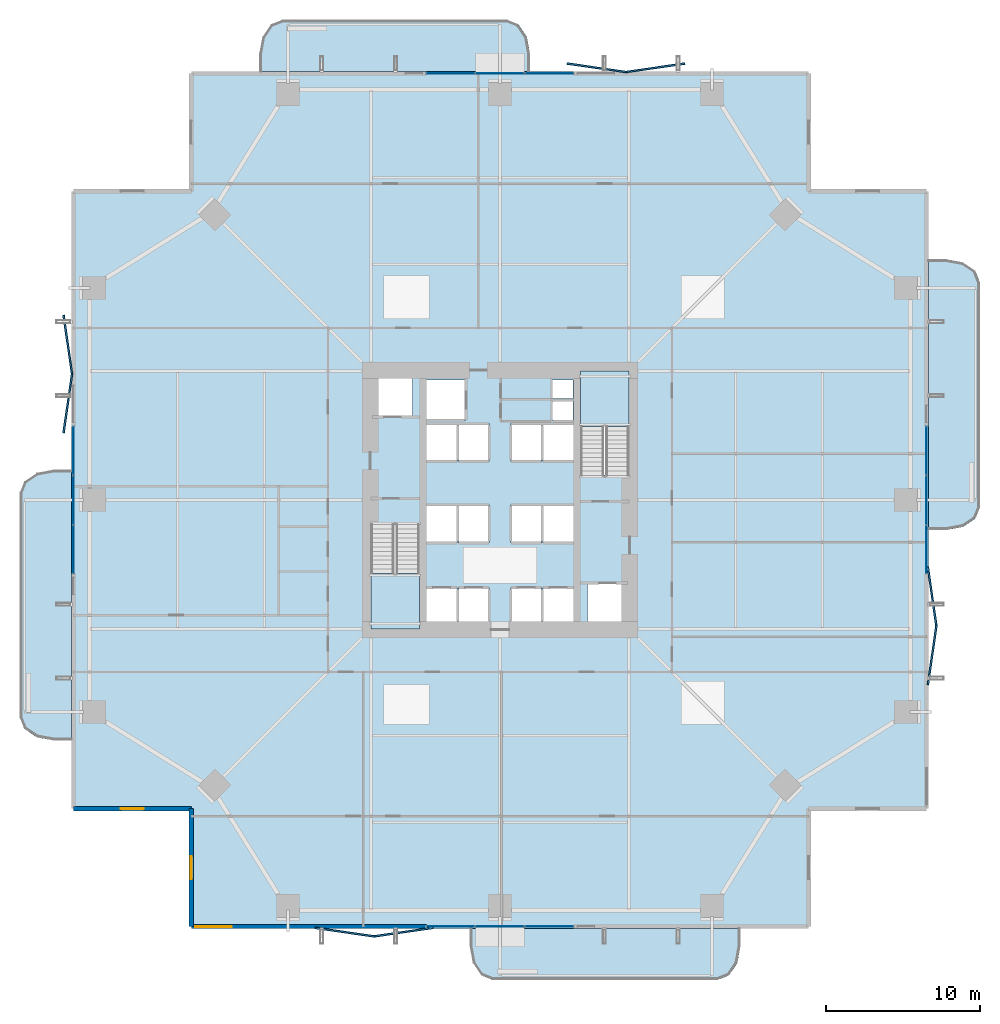
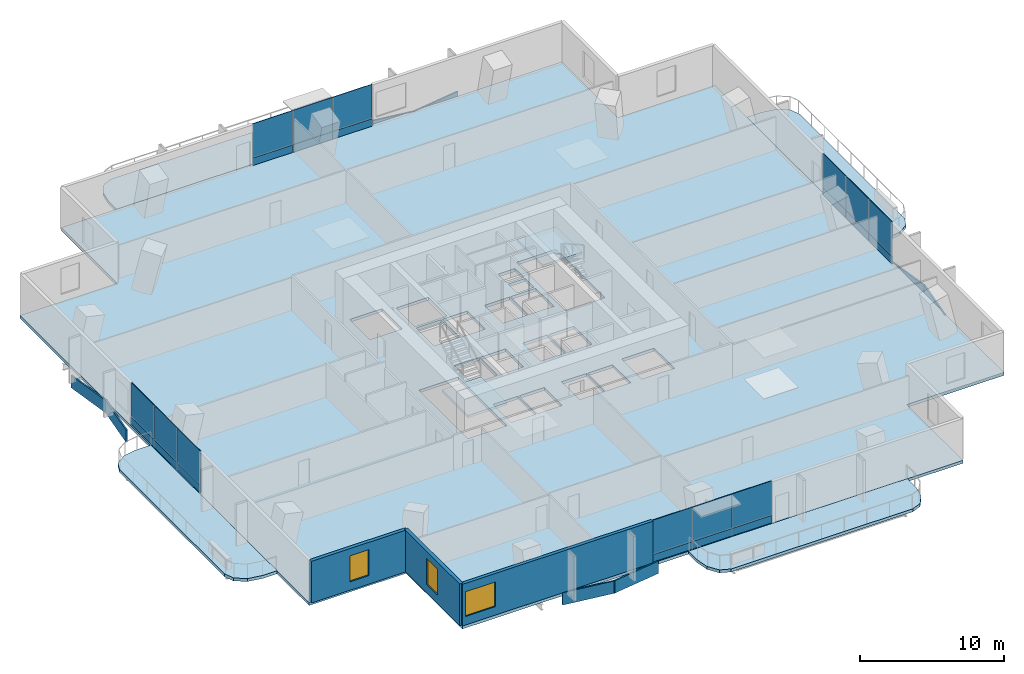
# One storey, part 16 of 24: 32 plates, 7 slabs, 3 walls, 3 windows, 3 openings, 6 elements without a shape of their own.
"""IFC4 building model written with IfcOpenShell, lengths in metres."""

from ifc_helpers import new_model, si_unit, direction, frame, frame_2d, origin, origin_2d, place, context, subcontext, project, spatial, polyline, rectangle, outline, extrude, material, layer, layer_set, type_object, element, fill, aggregate, save


model = new_model("IFC4")

# Units and contexts
model_context = context("Model", 3, precision=1e-05, world=origin(), true_north=direction((0.0, 1.0)))
body_context = subcontext(model_context, "Body", "Model", "MODEL_VIEW")
ifc_project = project(units=[si_unit("LENGTHUNIT", "METRE"), si_unit("AREAUNIT", "SQUARE_METRE"), si_unit("VOLUMEUNIT", "CUBIC_METRE"), si_unit("PLANEANGLEUNIT", "RADIAN"), si_unit("MASSUNIT", "GRAM", prefix="KILO")], contexts=[model_context])

# Site, building, storey
site_placement = place(None, origin())
site = spatial("IfcSite", under=ifc_project, at=site_placement, CompositionType="ELEMENT")
building_placement = place(site_placement, origin())
building = spatial("IfcBuilding", under=site, at=building_placement, Name="Belovzor Exchange Tower", CompositionType="ELEMENT")
storey_placement = place(building_placement, frame((0.0, 0.0, 104.10009765625)))
storey = spatial("IfcBuildingStorey", under=building, at=storey_placement, Name="L25", CompositionType="ELEMENT", Elevation=104.10009765625)

# Slab
ifc_material_1 = material(Name="Concrete C40/50", Category="concrete")
ifc_layer_1 = layer(ifc_material_1, 0.25)
ifc_layer_set_1 = layer_set([ifc_layer_1], Name="Concrete C40/50")
slab_type_1 = type_object("IfcSlabType", Name="Composite Concrete Floor Deck Slab 250", PredefinedType="FLOOR", material=ifc_layer_set_1)
slab_1_placement = place(storey_placement, frame((0.0, 0.0, -0.25)))
element("IfcSlab", 1, at=slab_1_placement, inside=storey, type_object=slab_type_1, Name="SL-F250 Structural Slab L25", PredefinedType="FLOOR", context=body_context, shape_type="SweptSolid", body=[
    extrude(outline(polyline([(8.699951171875, 0.89990234375), (48.89990234375, 0.89990234375), (48.89990234375, 8.699951171875), (56.699951171875, 8.699951171875), (56.699951171875, 48.89990234375), (48.89990234375, 48.89990234375), (48.89990234375, 56.699951171875), (8.699951171875, 56.699951171875), (8.699951171875, 48.89990234375), (0.89990234375, 48.89990234375), (0.89990234375, 8.699951171875), (8.699951171875, 8.699951171875), (8.699951171875, 0.89990234375)]), holes=[polyline([(20.39990234375, 27.175048828125), (20.39990234375, 20.39990234375), (23.550048828125, 20.39990234375), (23.550048828125, 27.175048828125), (20.39990234375, 27.175048828125)]), polyline([(37.199951171875, 30.425048828125), (37.199951171875, 37.199951171875), (34.050048828125, 37.199951171875), (34.050048828125, 30.425048828125), (37.199951171875, 30.425048828125)]), polyline([(20.5, 34.199951171875), (23.10009765625, 34.199951171875), (23.10009765625, 37.0), (20.5, 37.0), (20.5, 34.199951171875)]), polyline([(34.5, 20.60009765625), (37.10009765625, 20.60009765625), (37.10009765625, 23.39990234375), (34.5, 23.39990234375), (34.5, 20.60009765625)]), polyline([(24.0, 34.0), (26.60009765625, 34.0), (26.60009765625, 36.60009765625), (24.0, 36.60009765625), (24.0, 34.0)]), polyline([(24.0, 20.60009765625), (26.0, 20.60009765625), (26.0, 23.10009765625), (24.0, 23.10009765625), (24.0, 20.60009765625)]), polyline([(26.10009765625, 20.60009765625), (28.10009765625, 20.60009765625), (28.10009765625, 23.10009765625), (26.10009765625, 23.10009765625), (26.10009765625, 20.60009765625)]), polyline([(29.5, 20.60009765625), (31.5, 20.60009765625), (31.5, 23.10009765625), (29.5, 23.10009765625), (29.5, 20.60009765625)]), polyline([(31.60009765625, 20.60009765625), (33.60009765625, 20.60009765625), (33.60009765625, 23.10009765625), (31.60009765625, 23.10009765625), (31.60009765625, 20.60009765625)]), polyline([(24.0, 26.0), (26.0, 26.0), (26.0, 28.5), (24.0, 28.5), (24.0, 26.0)]), polyline([(26.10009765625, 26.0), (28.10009765625, 26.0), (28.10009765625, 28.5), (26.10009765625, 28.5), (26.10009765625, 26.0)]), polyline([(29.5, 26.0), (31.5, 26.0), (31.5, 28.5), (29.5, 28.5), (29.5, 26.0)]), polyline([(31.60009765625, 26.0), (33.60009765625, 26.0), (33.60009765625, 28.5), (31.60009765625, 28.5), (31.60009765625, 26.0)]), polyline([(24.0, 31.300048828125), (26.0, 31.300048828125), (26.0, 33.800048828125), (24.0, 33.800048828125), (24.0, 31.300048828125)]), polyline([(26.10009765625, 31.300048828125), (28.10009765625, 31.300048828125), (28.10009765625, 33.800048828125), (26.10009765625, 33.800048828125), (26.10009765625, 31.300048828125)]), polyline([(29.5, 31.300048828125), (31.5, 31.300048828125), (31.5, 33.800048828125), (29.5, 33.800048828125), (29.5, 31.300048828125)]), polyline([(31.60009765625, 31.300048828125), (33.60009765625, 31.300048828125), (33.60009765625, 33.800048828125), (31.60009765625, 33.800048828125), (31.60009765625, 31.300048828125)]), polyline([(32.199951171875, 34.0), (33.550048828125, 34.0), (33.550048828125, 35.199951171875), (32.199951171875, 35.199951171875), (32.199951171875, 34.0)]), polyline([(32.199951171875, 35.39990234375), (33.550048828125, 35.39990234375), (33.550048828125, 36.60009765625), (32.199951171875, 36.60009765625), (32.199951171875, 35.39990234375)])]), origin(), (0.0, 0.0, 1.0), 0.25),
])

# Plates
ifc_material_2 = material(Name="Extruded Architectural Terracotta", Category="masonry")
ifc_layer_2 = layer(ifc_material_2, 0.1201171875)
ifc_layer_set_2 = layer_set([ifc_layer_2], Name="Extruded Architectural Terracotta")
plate_type_1 = type_object("IfcPlateType", Name="Folded Zigzag Terracotta Spandrel Louvre 80", PredefinedType="USERDEFINED", material=ifc_layer_set_2)
for number, where, z_axis, x_axis, name in (
    (2, (18.699951171875, 0.6650390625, -1.03515625), (0.0, 0.0, 1.0), (0.989686419138, -0.143250800258, 0.0), "LVR-ZZ1 Zigzag Terracotta Spandrel Louvre L25 S1A"),
    (3, (22.5, 0.6650390625, -1.03515625), (0.0, 0.0, 1.0), (0.989686419138, 0.143250800258, 0.0), "LVR-ZZ1 Zigzag Terracotta Spandrel Louvre L25 S1B"),
    (4, (56.93505859375, 18.699951171875, -1.03515625), (0.0, 0.0, 1.0), (0.143250800258, 0.989686419138, 0.0), "LVR-ZZ1 Zigzag Terracotta Spandrel Louvre L25 E1A"),
    (5, (56.93505859375, 22.5, -1.03515625), (0.0, 0.0, 1.0), (-0.143250800258, 0.989686419138, 0.0), "LVR-ZZ1 Zigzag Terracotta Spandrel Louvre L25 E1B"),
    (6, (35.10009765625, 56.93505859375, -1.03515625), (0.0, 0.0, 1.0), (0.989686419138, -0.143250800258, 0.0), "LVR-ZZ1 Zigzag Terracotta Spandrel Louvre L25 N2A"),
    (7, (38.89990234375, 56.93505859375, -1.03515625), (0.0, 0.0, 1.0), (0.989686419138, 0.143250800258, 0.0), "LVR-ZZ1 Zigzag Terracotta Spandrel Louvre L25 N2B"),
    (8, (0.6650390625, 35.10009765625, -1.03515625), (0.0, 0.0, 1.0), (0.143250800258, 0.989686419138, 0.0), "LVR-ZZ1 Zigzag Terracotta Spandrel Louvre L25 W2A"),
    (9, (0.6650390625, 38.89990234375, -1.03515625), (0.0, 0.0, 1.0), (-0.143250800258, 0.989686419138, 0.0), "LVR-ZZ1 Zigzag Terracotta Spandrel Louvre L25 W2B"),
):
    element("IfcPlate", number, at=place(storey_placement, frame(where, z_axis=z_axis, x_axis=x_axis)), inside=storey, type_object=plate_type_1, Name=name, ObjectType="SPANDREL_LOUVRE", PredefinedType="USERDEFINED", context=body_context, shape_type="SweptSolid", body=[
        extrude(rectangle(XDim=3.919921875, YDim=0.1201171875, at=origin_2d()), origin(), (0.0, 0.0, 1.0), 1.050048828125),
    ])

# Curtain wall, plates
ifc_material_3 = material(Name="Anodised Aluminium Framing", Category="aluminium")
ifc_layer_3 = layer(ifc_material_3, 0.179931640625)
ifc_layer_set_3 = layer_set([ifc_layer_3], Name="Anodised Aluminium Framing")
curtain_wall_type = type_object("IfcCurtainWallType", Name="Recessed Loggia Low-Iron Triple-Glazed Curtain Wall", PredefinedType="NOTDEFINED", material=ifc_layer_set_3)
curtain_wall_1_placement = place(storey_placement, origin())
curtain_wall_1 = element("IfcCurtainWall", 10, at=curtain_wall_1_placement, inside=storey, type_object=curtain_wall_type, Name="CW3 Recessed Loggia Low-Iron Triple-Glazed Curtain Wall L25", PredefinedType="NOTDEFINED")
ifc_material_4 = material(Name="Solar-Control Triple Glazing", Category="glass")
ifc_layer_4 = layer(ifc_material_4, 0.0439453125)
ifc_layer_set_4 = layer_set([ifc_layer_4], Name="Solar-Control Triple Glazing")
plate_type_2 = type_object("IfcPlateType", Name="Insulated Solar Glazing Curtain Panel 44", PredefinedType="CURTAIN_PANEL", material=ifc_layer_set_4)
plate_1_placement = place(storey_placement, frame((32.0, 1.030029296875, 0.639404296875), z_axis=(0.0, 0.0, 1.0), x_axis=(-1.0, 0.0, 0.0)))
plate_1 = element("IfcPlate", 11, at=plate_1_placement, type_object=plate_type_2, Name="GLZ-44 Glazed Curtain Panel 1", PredefinedType="CURTAIN_PANEL", context=body_context, shape_type="SweptSolid", body=[
    extrude(rectangle(XDim=3.18408203125, YDim=0.0439453125, at=origin_2d()), origin(), (0.0, 0.0, 1.0), 2.90087890625),
])
plate_2_placement = place(storey_placement, frame((28.800048828125, 1.030029296875, 0.639404296875), z_axis=(0.0, 0.0, 1.0), x_axis=(-1.0, 0.0, 0.0)))
plate_2 = element("IfcPlate", 12, at=plate_2_placement, type_object=plate_type_2, Name="GLZ-44 Glazed Curtain Panel 2", PredefinedType="CURTAIN_PANEL", context=body_context, shape_type="SweptSolid", body=[
    extrude(rectangle(XDim=3.18408203125, YDim=0.0439453125, at=origin_2d()), origin(), (0.0, 0.0, 1.0), 2.90087890625),
])
plate_3_placement = place(storey_placement, frame((25.60009765625, 1.030029296875, 0.639404296875), z_axis=(0.0, 0.0, 1.0), x_axis=(-1.0, 0.0, 0.0)))
plate_3 = element("IfcPlate", 13, at=plate_3_placement, type_object=plate_type_2, Name="GLZ-44 Glazed Curtain Panel 3", PredefinedType="CURTAIN_PANEL", context=body_context, shape_type="SweptSolid", body=[
    extrude(rectangle(XDim=3.18408203125, YDim=0.0439453125, at=origin_2d()), origin(), (0.0, 0.0, 1.0), 2.90087890625),
])

curtain_wall_2_placement = place(storey_placement, origin())
curtain_wall_2 = element("IfcCurtainWall", 14, at=curtain_wall_2_placement, inside=storey, type_object=curtain_wall_type, Name="CW3 Recessed Loggia Low-Iron Triple-Glazed Curtain Wall L25", PredefinedType="NOTDEFINED")
plate_4_placement = place(storey_placement, frame((25.60009765625, 56.570068359375, 0.639404296875), z_axis=(0.0, 0.0, 1.0), x_axis=(1.0, 0.0, 0.0)))
plate_4 = element("IfcPlate", 15, at=plate_4_placement, type_object=plate_type_2, Name="GLZ-44 Glazed Curtain Panel 1", PredefinedType="CURTAIN_PANEL", context=body_context, shape_type="SweptSolid", body=[
    extrude(rectangle(XDim=3.18408203125, YDim=0.0439453125, at=origin_2d()), origin(), (0.0, 0.0, 1.0), 2.90087890625),
])
plate_5_placement = place(storey_placement, frame((28.800048828125, 56.570068359375, 0.639404296875), z_axis=(0.0, 0.0, 1.0), x_axis=(1.0, 0.0, 0.0)))
plate_5 = element("IfcPlate", 16, at=plate_5_placement, type_object=plate_type_2, Name="GLZ-44 Glazed Curtain Panel 2", PredefinedType="CURTAIN_PANEL", context=body_context, shape_type="SweptSolid", body=[
    extrude(rectangle(XDim=3.18408203125, YDim=0.0439453125, at=origin_2d()), origin(), (0.0, 0.0, 1.0), 2.90087890625),
])
plate_6_placement = place(storey_placement, frame((32.0, 56.570068359375, 0.639404296875), z_axis=(0.0, 0.0, 1.0), x_axis=(1.0, 0.0, 0.0)))
plate_6 = element("IfcPlate", 17, at=plate_6_placement, type_object=plate_type_2, Name="GLZ-44 Glazed Curtain Panel 3", PredefinedType="CURTAIN_PANEL", context=body_context, shape_type="SweptSolid", body=[
    extrude(rectangle(XDim=3.18408203125, YDim=0.0439453125, at=origin_2d()), origin(), (0.0, 0.0, 1.0), 2.90087890625),
])

curtain_wall_3_placement = place(storey_placement, origin())
curtain_wall_3 = element("IfcCurtainWall", 18, at=curtain_wall_3_placement, inside=storey, type_object=curtain_wall_type, Name="CW3 Recessed Loggia Low-Iron Triple-Glazed Curtain Wall L25", PredefinedType="NOTDEFINED")
plate_7_placement = place(storey_placement, frame((1.030029296875, 25.60009765625, 0.639404296875), z_axis=(0.0, 0.0, 1.0), x_axis=(0.0, 1.0, 0.0)))
plate_7 = element("IfcPlate", 19, at=plate_7_placement, type_object=plate_type_2, Name="GLZ-44 Glazed Curtain Panel 1", PredefinedType="CURTAIN_PANEL", context=body_context, shape_type="SweptSolid", body=[
    extrude(rectangle(XDim=3.18408203125, YDim=0.0439453125, at=origin_2d()), origin(), (0.0, 0.0, 1.0), 2.90087890625),
])
plate_8_placement = place(storey_placement, frame((1.030029296875, 28.800048828125, 0.639404296875), z_axis=(0.0, 0.0, 1.0), x_axis=(0.0, 1.0, 0.0)))
plate_8 = element("IfcPlate", 20, at=plate_8_placement, type_object=plate_type_2, Name="GLZ-44 Glazed Curtain Panel 2", PredefinedType="CURTAIN_PANEL", context=body_context, shape_type="SweptSolid", body=[
    extrude(rectangle(XDim=3.18408203125, YDim=0.0439453125, at=origin_2d()), origin(), (0.0, 0.0, 1.0), 2.90087890625),
])
plate_9_placement = place(storey_placement, frame((1.030029296875, 32.0, 0.639404296875), z_axis=(0.0, 0.0, 1.0), x_axis=(0.0, 1.0, 0.0)))
plate_9 = element("IfcPlate", 21, at=plate_9_placement, type_object=plate_type_2, Name="GLZ-44 Glazed Curtain Panel 3", PredefinedType="CURTAIN_PANEL", context=body_context, shape_type="SweptSolid", body=[
    extrude(rectangle(XDim=3.18408203125, YDim=0.0439453125, at=origin_2d()), origin(), (0.0, 0.0, 1.0), 2.90087890625),
])

curtain_wall_4_placement = place(storey_placement, origin())
curtain_wall_4 = element("IfcCurtainWall", 22, at=curtain_wall_4_placement, inside=storey, type_object=curtain_wall_type, Name="CW3 Recessed Loggia Low-Iron Triple-Glazed Curtain Wall L25", PredefinedType="NOTDEFINED")
plate_10_placement = place(storey_placement, frame((56.570068359375, 32.0, 0.639404296875), z_axis=(0.0, 0.0, 1.0), x_axis=(0.0, -1.0, 0.0)))
plate_10 = element("IfcPlate", 23, at=plate_10_placement, type_object=plate_type_2, Name="GLZ-44 Glazed Curtain Panel 1", PredefinedType="CURTAIN_PANEL", context=body_context, shape_type="SweptSolid", body=[
    extrude(rectangle(XDim=3.18408203125, YDim=0.0439453125, at=origin_2d()), origin(), (0.0, 0.0, 1.0), 2.90087890625),
])
plate_11_placement = place(storey_placement, frame((56.570068359375, 28.800048828125, 0.639404296875), z_axis=(0.0, 0.0, 1.0), x_axis=(0.0, -1.0, 0.0)))
plate_11 = element("IfcPlate", 24, at=plate_11_placement, type_object=plate_type_2, Name="GLZ-44 Glazed Curtain Panel 2", PredefinedType="CURTAIN_PANEL", context=body_context, shape_type="SweptSolid", body=[
    extrude(rectangle(XDim=3.18408203125, YDim=0.0439453125, at=origin_2d()), origin(), (0.0, 0.0, 1.0), 2.90087890625),
])
plate_12_placement = place(storey_placement, frame((56.570068359375, 25.60009765625, 0.639404296875), z_axis=(0.0, 0.0, 1.0), x_axis=(0.0, -1.0, 0.0)))
plate_12 = element("IfcPlate", 25, at=plate_12_placement, type_object=plate_type_2, Name="GLZ-44 Glazed Curtain Panel 3", PredefinedType="CURTAIN_PANEL", context=body_context, shape_type="SweptSolid", body=[
    extrude(rectangle(XDim=3.18408203125, YDim=0.0439453125, at=origin_2d()), origin(), (0.0, 0.0, 1.0), 2.90087890625),
])

# Stair, slab
ifc_material_5 = material(Name="Concrete C40/50", Category="concrete")
stair_type = type_object("IfcStairType", Name="Reinforced Concrete Dogleg Escape Stair 1350", PredefinedType="HALF_TURN_STAIR", material=ifc_material_5)
stair_1_placement = place(storey_placement, origin())
stair_1 = element("IfcStair", 26, at=stair_1_placement, inside=storey, type_object=stair_type, Name="L25 ST-1", PredefinedType="HALF_TURN_STAIR")
ifc_material_6 = material(Name="Concrete C40/50", Category="concrete")
ifc_layer_5 = layer(ifc_material_6, 0.199951171875)
ifc_layer_set_5 = layer_set([ifc_layer_5], Name="Concrete C40/50")
slab_type_2 = type_object("IfcSlabType", Name="Reinforced Concrete Stair Half-Landing Slab 200", PredefinedType="LANDING", material=ifc_layer_set_5)
slab_2_placement = place(storey_placement, frame((0.0, 0.0, 1.75)))
slab_2 = element("IfcSlab", 27, at=slab_2_placement, type_object=slab_type_2, Name="ST-1 landing 1", PredefinedType="LANDING", context=body_context, shape_type="SweptSolid", body=[
    extrude(outline(polyline([(20.39990234375, 24.010009765625), (20.39990234375, 20.39990234375), (23.550048828125, 20.39990234375), (23.550048828125, 24.010009765625), (20.39990234375, 24.010009765625)])), origin(), (0.0, 0.0, 1.0), 0.199951171875),
])
aggregate(stair_1, [slab_2])

stair_2_placement = place(storey_placement, origin())
stair_2 = element("IfcStair", 28, at=stair_2_placement, inside=storey, type_object=stair_type, Name="L25 ST-2", PredefinedType="HALF_TURN_STAIR")
slab_3_placement = place(storey_placement, frame((0.0, 0.0, 1.75)))
slab_3 = element("IfcSlab", 29, at=slab_3_placement, type_object=slab_type_2, Name="ST-2 landing 1", PredefinedType="LANDING", context=body_context, shape_type="SweptSolid", body=[
    extrude(outline(polyline([(37.199951171875, 33.590087890625), (37.199951171875, 37.199951171875), (34.050048828125, 37.199951171875), (34.050048828125, 33.590087890625), (37.199951171875, 33.590087890625)])), origin(), (0.0, 0.0, 1.0), 0.199951171875),
])
aggregate(stair_2, [slab_3])

# Plate
ifc_material_7 = material(Name="Extruded Architectural Terracotta", Category="masonry")
ifc_layer_6 = layer(ifc_material_7, 0.090087890625)
ifc_layer_set_6 = layer_set([ifc_layer_6], Name="Extruded Architectural Terracotta")
plate_type_3 = type_object("IfcPlateType", Name="Terracotta Shadow-Box Spandrel Panel 90", PredefinedType="CURTAIN_PANEL", material=ifc_layer_set_6)
plate_13_placement = place(storey_placement, frame((32.0, 1.030029296875, -0.00048828125), z_axis=(0.0, 0.0, 1.0), x_axis=(-1.0, 0.0, 0.0)))
plate_13 = element("IfcPlate", 30, at=plate_13_placement, type_object=plate_type_3, Name="SPD-90 Spandrel Panel 1", PredefinedType="CURTAIN_PANEL", context=body_context, shape_type="SweptSolid", body=[
    extrude(rectangle(XDim=3.18408203125, YDim=0.090087890625, at=origin_2d()), origin(), (0.0, 0.0, 1.0), 0.635009765625),
])

plate_14_placement = place(storey_placement, frame((28.800048828125, 1.030029296875, -0.00048828125), z_axis=(0.0, 0.0, 1.0), x_axis=(-1.0, 0.0, 0.0)))
plate_14 = element("IfcPlate", 31, at=plate_14_placement, type_object=plate_type_3, Name="SPD-90 Spandrel Panel 2", PredefinedType="CURTAIN_PANEL", context=body_context, shape_type="SweptSolid", body=[
    extrude(rectangle(XDim=3.18408203125, YDim=0.090087890625, at=origin_2d()), origin(), (0.0, 0.0, 1.0), 0.635009765625),
])

plate_15_placement = place(storey_placement, frame((25.60009765625, 1.030029296875, -0.00048828125), z_axis=(0.0, 0.0, 1.0), x_axis=(-1.0, 0.0, 0.0)))
plate_15 = element("IfcPlate", 32, at=plate_15_placement, type_object=plate_type_3, Name="SPD-90 Spandrel Panel 3", PredefinedType="CURTAIN_PANEL", context=body_context, shape_type="SweptSolid", body=[
    extrude(rectangle(XDim=3.18408203125, YDim=0.090087890625, at=origin_2d()), origin(), (0.0, 0.0, 1.0), 0.635009765625),
])

aggregate(curtain_wall_1, [plate_13, plate_1, plate_14, plate_2, plate_15, plate_3])

plate_16_placement = place(storey_placement, frame((25.60009765625, 56.570068359375, -0.00048828125), z_axis=(0.0, 0.0, 1.0), x_axis=(1.0, 0.0, 0.0)))
plate_16 = element("IfcPlate", 33, at=plate_16_placement, type_object=plate_type_3, Name="SPD-90 Spandrel Panel 1", PredefinedType="CURTAIN_PANEL", context=body_context, shape_type="SweptSolid", body=[
    extrude(rectangle(XDim=3.18408203125, YDim=0.090087890625, at=origin_2d()), origin(), (0.0, 0.0, 1.0), 0.635009765625),
])

plate_17_placement = place(storey_placement, frame((28.800048828125, 56.570068359375, -0.00048828125), z_axis=(0.0, 0.0, 1.0), x_axis=(1.0, 0.0, 0.0)))
plate_17 = element("IfcPlate", 34, at=plate_17_placement, type_object=plate_type_3, Name="SPD-90 Spandrel Panel 2", PredefinedType="CURTAIN_PANEL", context=body_context, shape_type="SweptSolid", body=[
    extrude(rectangle(XDim=3.18408203125, YDim=0.090087890625, at=origin_2d()), origin(), (0.0, 0.0, 1.0), 0.635009765625),
])

plate_18_placement = place(storey_placement, frame((32.0, 56.570068359375, -0.00048828125), z_axis=(0.0, 0.0, 1.0), x_axis=(1.0, 0.0, 0.0)))
plate_18 = element("IfcPlate", 35, at=plate_18_placement, type_object=plate_type_3, Name="SPD-90 Spandrel Panel 3", PredefinedType="CURTAIN_PANEL", context=body_context, shape_type="SweptSolid", body=[
    extrude(rectangle(XDim=3.18408203125, YDim=0.090087890625, at=origin_2d()), origin(), (0.0, 0.0, 1.0), 0.635009765625),
])

aggregate(curtain_wall_2, [plate_16, plate_4, plate_17, plate_5, plate_18, plate_6])

plate_19_placement = place(storey_placement, frame((1.030029296875, 25.60009765625, -0.00048828125), z_axis=(0.0, 0.0, 1.0), x_axis=(0.0, 1.0, 0.0)))
plate_19 = element("IfcPlate", 36, at=plate_19_placement, type_object=plate_type_3, Name="SPD-90 Spandrel Panel 1", PredefinedType="CURTAIN_PANEL", context=body_context, shape_type="SweptSolid", body=[
    extrude(rectangle(XDim=3.18408203125, YDim=0.090087890625, at=origin_2d()), origin(), (0.0, 0.0, 1.0), 0.635009765625),
])

plate_20_placement = place(storey_placement, frame((1.030029296875, 28.800048828125, -0.00048828125), z_axis=(0.0, 0.0, 1.0), x_axis=(0.0, 1.0, 0.0)))
plate_20 = element("IfcPlate", 37, at=plate_20_placement, type_object=plate_type_3, Name="SPD-90 Spandrel Panel 2", PredefinedType="CURTAIN_PANEL", context=body_context, shape_type="SweptSolid", body=[
    extrude(rectangle(XDim=3.18408203125, YDim=0.090087890625, at=origin_2d()), origin(), (0.0, 0.0, 1.0), 0.635009765625),
])

plate_21_placement = place(storey_placement, frame((1.030029296875, 32.0, -0.00048828125), z_axis=(0.0, 0.0, 1.0), x_axis=(0.0, 1.0, 0.0)))
plate_21 = element("IfcPlate", 38, at=plate_21_placement, type_object=plate_type_3, Name="SPD-90 Spandrel Panel 3", PredefinedType="CURTAIN_PANEL", context=body_context, shape_type="SweptSolid", body=[
    extrude(rectangle(XDim=3.18408203125, YDim=0.090087890625, at=origin_2d()), origin(), (0.0, 0.0, 1.0), 0.635009765625),
])

aggregate(curtain_wall_3, [plate_19, plate_7, plate_20, plate_8, plate_21, plate_9])

plate_22_placement = place(storey_placement, frame((56.570068359375, 32.0, -0.00048828125), z_axis=(0.0, 0.0, 1.0), x_axis=(0.0, -1.0, 0.0)))
plate_22 = element("IfcPlate", 39, at=plate_22_placement, type_object=plate_type_3, Name="SPD-90 Spandrel Panel 1", PredefinedType="CURTAIN_PANEL", context=body_context, shape_type="SweptSolid", body=[
    extrude(rectangle(XDim=3.18408203125, YDim=0.090087890625, at=origin_2d()), origin(), (0.0, 0.0, 1.0), 0.635009765625),
])

plate_23_placement = place(storey_placement, frame((56.570068359375, 28.800048828125, -0.00048828125), z_axis=(0.0, 0.0, 1.0), x_axis=(0.0, -1.0, 0.0)))
plate_23 = element("IfcPlate", 40, at=plate_23_placement, type_object=plate_type_3, Name="SPD-90 Spandrel Panel 2", PredefinedType="CURTAIN_PANEL", context=body_context, shape_type="SweptSolid", body=[
    extrude(rectangle(XDim=3.18408203125, YDim=0.090087890625, at=origin_2d()), origin(), (0.0, 0.0, 1.0), 0.635009765625),
])

plate_24_placement = place(storey_placement, frame((56.570068359375, 25.60009765625, -0.00048828125), z_axis=(0.0, 0.0, 1.0), x_axis=(0.0, -1.0, 0.0)))
plate_24 = element("IfcPlate", 41, at=plate_24_placement, type_object=plate_type_3, Name="SPD-90 Spandrel Panel 3", PredefinedType="CURTAIN_PANEL", context=body_context, shape_type="SweptSolid", body=[
    extrude(rectangle(XDim=3.18408203125, YDim=0.090087890625, at=origin_2d()), origin(), (0.0, 0.0, 1.0), 0.635009765625),
])

aggregate(curtain_wall_4, [plate_22, plate_10, plate_23, plate_11, plate_24, plate_12])

# Slabs
ifc_material_8 = material(Name="Concrete C40/50", Category="concrete")
ifc_layer_7 = layer(ifc_material_8, 0.25)
ifc_layer_set_7 = layer_set([ifc_layer_7], Name="Concrete C40/50")
slab_type_3 = type_object("IfcSlabType", Name="Thermally Broken Planted Balcony Slab 250", PredefinedType="FLOOR", material=ifc_layer_set_7)
slab_4_placement = place(storey_placement, frame((0.0, 0.0, -0.25)))
element("IfcSlab", 42, at=slab_4_placement, inside=storey, type_object=slab_type_3, Name="SL-BAL220 Planted Balcony Loggia L25 South", PredefinedType="FLOOR", context=body_context, shape_type="SweptSolid", body=[
    extrude(outline(polyline([(26.85009765625, 0.9150390625), (26.85009765625, -0.25), (27.051025390625, -1.35009765625), (27.60009765625, -2.155029296875), (28.35009765625, -2.449951171875), (42.949951171875, -2.449951171875), (43.699951171875, -2.155029296875), (44.2490234375, -1.35009765625), (44.449951171875, -0.25), (44.449951171875, 0.9150390625), (26.85009765625, 0.9150390625)])), origin(), (0.0, 0.0, 1.0), 0.25),
])
slab_5_placement = place(storey_placement, frame((0.0, 0.0, -0.25)))
element("IfcSlab", 43, at=slab_5_placement, inside=storey, type_object=slab_type_3, Name="SL-BAL220 Planted Balcony Loggia L25 North", PredefinedType="FLOOR", context=body_context, shape_type="SweptSolid", body=[
    extrude(outline(polyline([(30.75, 56.68505859375), (30.75, 57.85009765625), (30.549072265625, 58.949951171875), (30.0, 59.7548828125), (29.25, 60.050048828125), (14.64990234375, 60.050048828125), (13.89990234375, 59.7548828125), (13.35107421875, 58.949951171875), (13.14990234375, 57.85009765625), (13.14990234375, 56.68505859375), (30.75, 56.68505859375)])), origin(), (0.0, 0.0, 1.0), 0.25),
])
slab_6_placement = place(storey_placement, frame((0.0, 0.0, -0.25)))
element("IfcSlab", 44, at=slab_6_placement, inside=storey, type_object=slab_type_3, Name="SL-BAL220 Planted Balcony Loggia L25 East", PredefinedType="FLOOR", context=body_context, shape_type="SweptSolid", body=[
    extrude(outline(polyline([(56.68505859375, 26.85009765625), (57.85009765625, 26.85009765625), (58.949951171875, 27.051025390625), (59.7548828125, 27.60009765625), (60.050048828125, 28.35009765625), (60.050048828125, 42.949951171875), (59.7548828125, 43.699951171875), (58.949951171875, 44.2490234375), (57.85009765625, 44.449951171875), (56.68505859375, 44.449951171875), (56.68505859375, 26.85009765625)])), origin(), (0.0, 0.0, 1.0), 0.25),
])
slab_7_placement = place(storey_placement, frame((0.0, 0.0, -0.25)))
element("IfcSlab", 45, at=slab_7_placement, inside=storey, type_object=slab_type_3, Name="SL-BAL220 Planted Balcony Loggia L25 West", PredefinedType="FLOOR", context=body_context, shape_type="SweptSolid", body=[
    extrude(outline(polyline([(0.9150390625, 30.75), (-0.25, 30.75), (-1.35009765625, 30.549072265625), (-2.155029296875, 30.0), (-2.449951171875, 29.25), (-2.449951171875, 14.64990234375), (-2.155029296875, 13.89990234375), (-1.35009765625, 13.35107421875), (-0.25, 13.14990234375), (0.9150390625, 13.14990234375), (0.9150390625, 30.75)])), origin(), (0.0, 0.0, 1.0), 0.25),
])

# Wall, opening, window
ifc_material_9 = material(Name="Precast concrete C40/50", Category="concrete")
ifc_layer_8 = layer(ifc_material_9, 0.280029296875)
ifc_layer_set_8 = layer_set([ifc_layer_8], Name="Precast concrete C40/50")
wall_type_1 = type_object("IfcWallType", Name="Precast Concrete Notched Corner Frame Wall 280", PredefinedType="SOLIDWALL", material=ifc_layer_set_8)
wall_1_placement = place(storey_placement, frame((8.699951171875, 1.030029296875, 0.0), z_axis=(0.0, 0.0, 1.0), x_axis=(0.0, 1.0, 0.0)))
wall_1 = element("IfcWall", 46, at=wall_1_placement, inside=storey, type_object=wall_type_1, Name="W-CRN280 Precast Concrete Notched Corner Frame Wall 280 L25", PredefinedType="SOLIDWALL", context=body_context, shape_type="SweptSolid", body=[
    extrude(rectangle(XDim=7.669921875, YDim=0.280029296875, at=frame_2d((3.8349609375, 0.0))), origin(), (0.0, 0.0, 1.0), 3.539794921875),
])
opening_1_placement = place(wall_1_placement, frame((3.0849609375, 0.0, 0.719970703125)))
opening_1 = element("IfcOpeningElement", 47, at=opening_1_placement, cuts=wall_1, Name="Opening WN-CRN150", PredefinedType="OPENING", context=body_context, shape_type="SweptSolid", body=[
    extrude(rectangle(XDim=1.5, YDim=2.199951171875, at=frame_2d((0.75, 1.10009765625))), frame((0.0, 0.14990234375, 0.0), z_axis=(0.0, -1.0, 0.0), x_axis=(1.0, 0.0, 0.0)), (0.0, 0.0, 1.0), 0.300048828125),
])
ifc_material_10 = material(Name="Thermally Broken Aluminium and Triple Glazing", Category="aluminium")
window_type_1 = type_object("IfcWindowType", Name="Streamline Notched Corner Window 1500x2200", PartitioningType="SINGLE_PANEL", PredefinedType="WINDOW", material=ifc_material_10)
window_1_placement = place(opening_1_placement, origin())
window_1 = element("IfcWindow", 48, at=window_1_placement, inside=storey, type_object=window_type_1, Name="WN-CRN150 Streamline Notched Corner Window 1500x2200", OverallHeight=2.199951171875, OverallWidth=1.5, PartitioningType="SINGLE_PANEL", PredefinedType="WINDOW", context=body_context, shape_type="SweptSolid", body=[
    extrude(rectangle(XDim=1.5, YDim=2.199951171875, at=frame_2d((0.75, 1.10009765625))), frame((0.0, 0.030029296875, 0.0), z_axis=(0.0, -1.0, 0.0), x_axis=(1.0, 0.0, 0.0)), (0.0, 0.0, 1.0), 0.06005859375),
])
fill(opening_1, window_1)

wall_2_placement = place(storey_placement, frame((8.699951171875, 8.699951171875, 0.0), z_axis=(0.0, 0.0, 1.0), x_axis=(-1.0, 0.0, 0.0)))
wall_2 = element("IfcWall", 49, at=wall_2_placement, inside=storey, type_object=wall_type_1, Name="W-CRN280 Precast Concrete Notched Corner Frame Wall 280 L25", PredefinedType="SOLIDWALL", context=body_context, shape_type="SweptSolid", body=[
    extrude(rectangle(XDim=7.669921875, YDim=0.280029296875, at=frame_2d((3.8349609375, 0.0))), origin(), (0.0, 0.0, 1.0), 3.539794921875),
])
opening_2_placement = place(wall_2_placement, frame((3.0849609375, 0.0, 0.719970703125)))
opening_2 = element("IfcOpeningElement", 50, at=opening_2_placement, cuts=wall_2, Name="Opening WN-CRN150", PredefinedType="OPENING", context=body_context, shape_type="SweptSolid", body=[
    extrude(rectangle(XDim=1.5, YDim=2.199951171875, at=frame_2d((0.75, 1.10009765625))), frame((0.0, 0.14990234375, 0.0), z_axis=(0.0, -1.0, 0.0), x_axis=(1.0, 0.0, 0.0)), (0.0, 0.0, 1.0), 0.300048828125),
])
window_2_placement = place(opening_2_placement, origin())
window_2 = element("IfcWindow", 51, at=window_2_placement, inside=storey, type_object=window_type_1, Name="WN-CRN150 Streamline Notched Corner Window 1500x2200", OverallHeight=2.199951171875, OverallWidth=1.5, PartitioningType="SINGLE_PANEL", PredefinedType="WINDOW", context=body_context, shape_type="SweptSolid", body=[
    extrude(rectangle(XDim=1.5, YDim=2.199951171875, at=frame_2d((0.75, 1.10009765625))), frame((0.0, 0.030029296875, 0.0), z_axis=(0.0, -1.0, 0.0), x_axis=(1.0, 0.0, 0.0)), (0.0, 0.0, 1.0), 0.06005859375),
])
fill(opening_2, window_2)

ifc_material_11 = material(Name="Precast concrete C40/50", Category="concrete")
ifc_layer_9 = layer(ifc_material_11, 0.260009765625)
ifc_layer_set_9 = layer_set([ifc_layer_9], Name="Precast concrete C40/50")
wall_type_2 = type_object("IfcWallType", Name="Precast Concrete Perimeter Loggia Frame Wall 260", PredefinedType="SOLIDWALL", material=ifc_layer_set_9)
wall_3_placement = place(storey_placement, frame((24.0, 1.030029296875, 0.0), z_axis=(0.0, 0.0, 1.0), x_axis=(-1.0, 0.0, 0.0)))
wall_3 = element("IfcWall", 52, at=wall_3_placement, inside=storey, type_object=wall_type_2, Name="W-EXT260 Precast Concrete Perimeter Loggia Frame Wall 260 L25", PredefinedType="SOLIDWALL", context=body_context, shape_type="SweptSolid", body=[
    extrude(rectangle(XDim=15.300048828125, YDim=0.260009765625, at=frame_2d((7.64990234375, 0.0))), origin(), (0.0, 0.0, 1.0), 3.539794921875),
])
opening_3_placement = place(wall_3_placement, frame((12.64990234375, 0.0, 0.719970703125)))
opening_3 = element("IfcOpeningElement", 53, at=opening_3_placement, cuts=wall_3, Name="Opening WN-LOG240", PredefinedType="OPENING", context=body_context, shape_type="SweptSolid", body=[
    extrude(rectangle(XDim=2.39990234375, YDim=2.10009765625, at=frame_2d((1.199951171875, 1.050048828125))), frame((0.0, 0.139892578125, 0.0), z_axis=(0.0, -1.0, 0.0), x_axis=(1.0, 0.0, 0.0)), (0.0, 0.0, 1.0), 0.280029296875),
])
ifc_material_12 = material(Name="Thermally Broken Aluminium and Triple Glazing", Category="aluminium")
window_type_2 = type_object("IfcWindowType", Name="Triple-Glazed Loggia Ribbon Window 2400x2100", PartitioningType="SINGLE_PANEL", PredefinedType="WINDOW", material=ifc_material_12)
window_3_placement = place(opening_3_placement, origin())
window_3 = element("IfcWindow", 54, at=window_3_placement, inside=storey, type_object=window_type_2, Name="WN-LOG240 Triple-Glazed Loggia Ribbon Window 2400x2100", OverallHeight=2.10009765625, OverallWidth=2.39990234375, PartitioningType="SINGLE_PANEL", PredefinedType="WINDOW", context=body_context, shape_type="SweptSolid", body=[
    extrude(rectangle(XDim=2.39990234375, YDim=2.10009765625, at=frame_2d((1.199951171875, 1.050048828125))), frame((0.0, 0.030029296875, 0.0), z_axis=(0.0, -1.0, 0.0), x_axis=(1.0, 0.0, 0.0)), (0.0, 0.0, 1.0), 0.06005859375),
])
fill(opening_3, window_3)

save(model, "model.ifc")
